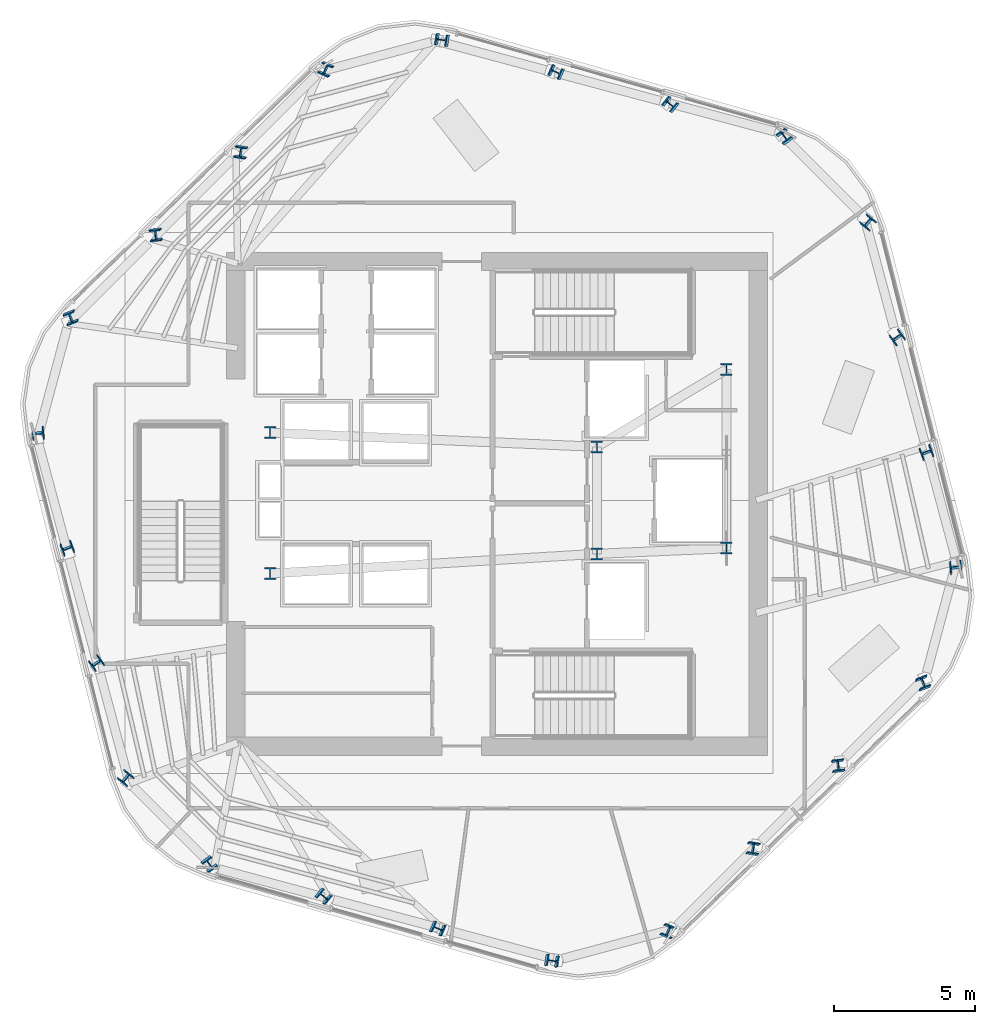
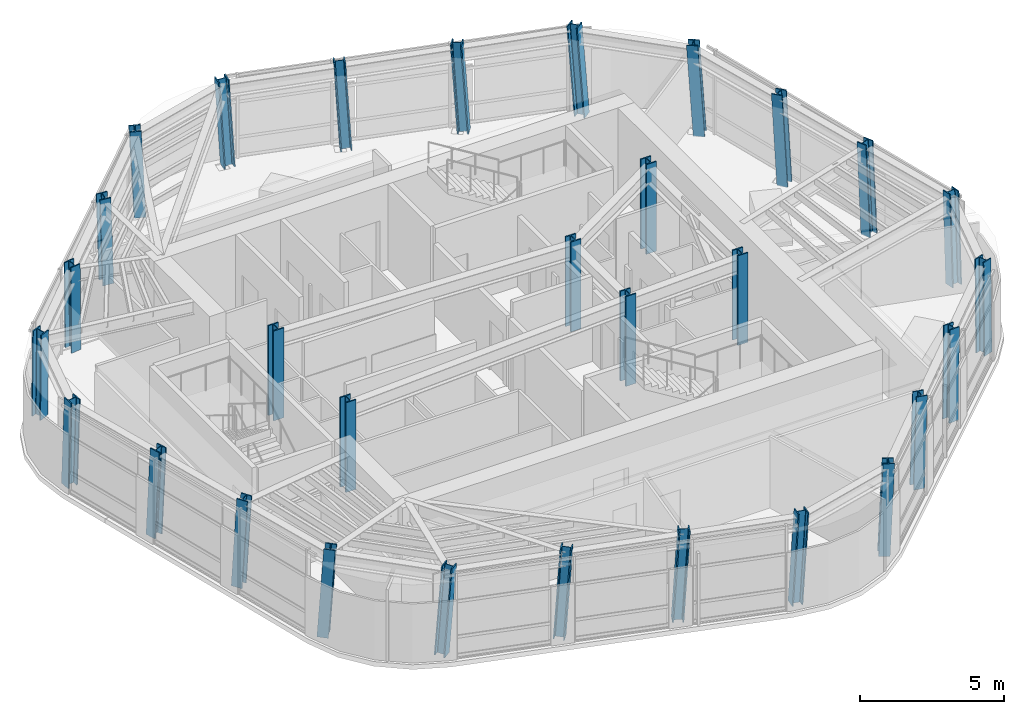
# One storey, part 1 of 14: 30 columns.
"""IFC4 building model written with IfcOpenShell, lengths in metres."""

from ifc_helpers import new_model, si_unit, direction, frame, origin, origin_2d, place, context, subcontext, project, spatial, i_section, extrude, material, material_profile, profile_set, type_object, element, save


model = new_model("IFC4")

# Units and contexts
model_context = context("Model", 3, precision=1e-05, world=origin(), true_north=direction((0.0, 1.0)))
body_context = subcontext(model_context, "Body", "Model", "MODEL_VIEW")
ifc_project = project(units=[si_unit("LENGTHUNIT", "METRE"), si_unit("AREAUNIT", "SQUARE_METRE"), si_unit("VOLUMEUNIT", "CUBIC_METRE"), si_unit("PLANEANGLEUNIT", "RADIAN"), si_unit("MASSUNIT", "GRAM", prefix="KILO")], contexts=[model_context])

# Site, building, storey
site_placement = place(None, origin())
site = spatial("IfcSite", under=ifc_project, at=site_placement, CompositionType="ELEMENT")
building_placement = place(site_placement, origin())
building = spatial("IfcBuilding", under=site, at=building_placement, Name="Valkerne Bourse Tower", CompositionType="ELEMENT")
storey_placement = place(building_placement, frame((0.0, 0.0, 213.199951171875)))
storey = spatial("IfcBuildingStorey", under=building, at=storey_placement, Name="L54", CompositionType="ELEMENT", Elevation=213.199951171875)

# Columns
ifc_material = material(Name="Steel ASTM A913 Grade 65", Category="steel")
ifc_material_profile_1 = material_profile(ifc_material, i_section(OverallWidth=0.40380859375, OverallDepth=0.406494140625, WebThickness=0.027099609375, FlangeThickness=0.043701171875, FilletRadius=0.025390625, at=origin_2d()), Name="W14X233")
ifc_profile_set_1 = profile_set([ifc_material_profile_1], Name="Steel ASTM A913 Grade 65")
column_type_1 = type_object("IfcColumnType", Name="COL-W14X233", PredefinedType="COLUMN", material=ifc_profile_set_1)
column_1_placement = place(storey_placement, frame((57.0400390625, 39.886474609375, 0.010009765625), z_axis=(-0.05372624871, 0.042001815538, 0.997671958958), x_axis=(0.807666231936, 0.589343879745, 0.018682858387)))
element("IfcColumn", 1, at=column_1_placement, inside=storey, type_object=column_type_1, Name="L54 Helical Perimeter Tube Column F1-C1", PredefinedType="COLUMN", context=body_context, shape_type="SweptSolid", body=[
    extrude(i_section(OverallWidth=0.40380859375, OverallDepth=0.406494140625, WebThickness=0.027099609375, FlangeThickness=0.043701171875, FilletRadius=0.025390625, at=origin_2d()), origin(), (0.0, 0.0, 1.0), 3.789794921875),
])
for number, where, z_axis, x_axis, name in (
    (2, (52.9892578125, 41.040283203125, 0.010009765625), (-0.058382289582, 0.025195888771, 0.997976290025), (0.632107760711, 0.774684653629, 0.017420283569), "L54 Helical Perimeter Tube Column F1-C2"),
    (3, (48.9384765625, 42.194091796875, 0.010009765625), (-0.063086168634, 0.008377121473, 0.997972925065), (0.397621851171, 0.917383721847, 0.017434745816), "L54 Helical Perimeter Tube Column F1-C3"),
):
    element("IfcColumn", number, at=place(storey_placement, frame(where, z_axis=z_axis, x_axis=x_axis)), inside=storey, type_object=column_type_1, Name=name, PredefinedType="COLUMN", context=body_context, shape_type="SweptSolid", body=[
        extrude(i_section(OverallWidth=0.40380859375, OverallDepth=0.406494140625, WebThickness=0.027099609375, FlangeThickness=0.043701171875, FilletRadius=0.025390625, at=origin_2d()), origin(), (0.0, 0.0, 1.0), 3.78857421875),
    ])
for number, where, z_axis, x_axis, name in (
    (4, (44.8876953125, 43.34814453125, 0.010009765625), (-0.067705225753, -0.008438995788, 0.997669677677), (0.152268040079, 0.988162462925, 0.018691999275), "L54 Helical Perimeter Tube Column F1-C4"),
    (5, (40.760009765625, 42.311279296875, 0.010009765625), (-0.063196177661, -0.025510383643, 0.997675028983), (-0.912629383929, 0.406027441839, -0.047427039366), "L54 Helical Perimeter Tube Column F2-C1"),
):
    element("IfcColumn", number, at=place(storey_placement, frame(where, z_axis=z_axis, x_axis=x_axis)), inside=storey, type_object=column_type_1, Name=name, PredefinedType="COLUMN", context=body_context, shape_type="SweptSolid", body=[
        extrude(i_section(OverallWidth=0.40380859375, OverallDepth=0.406494140625, WebThickness=0.027099609375, FlangeThickness=0.043701171875, FilletRadius=0.025390625, at=origin_2d()), origin(), (0.0, 0.0, 1.0), 3.789794921875),
    ])
for number, where, z_axis, x_axis, name in (
    (6, (37.7353515625, 39.380126953125, 0.010009765625), (-0.051036124084, -0.03795489531, 0.997975320316), (-0.985831211138, 0.161795319681, -0.044261695353), "L54 Helical Perimeter Tube Column F2-C2"),
    (7, (34.710693359375, 36.448974609375, 0.010009765625), (-0.038792630167, -0.050391755467, 0.997975852827), (-0.992692477875, -0.112263357491, -0.044255880238), "L54 Helical Perimeter Tube Column F2-C3"),
):
    element("IfcColumn", number, at=place(storey_placement, frame(where, z_axis=z_axis, x_axis=x_axis)), inside=storey, type_object=column_type_1, Name=name, PredefinedType="COLUMN", context=body_context, shape_type="SweptSolid", body=[
        extrude(i_section(OverallWidth=0.40380859375, OverallDepth=0.406494140625, WebThickness=0.027099609375, FlangeThickness=0.043701171875, FilletRadius=0.025390625, at=origin_2d()), origin(), (0.0, 0.0, 1.0), 3.78857421875),
    ])
for number, where, z_axis, x_axis, name in (
    (8, (31.685791015625, 33.517822265625, 0.010009765625), (-0.026476558597, -0.062873774187, 0.997670226259), (-0.931291811643, -0.361166992489, -0.047475942355), "L54 Helical Perimeter Tube Column F2-C4"),
    (9, (30.52001953125, 29.425048828125, 0.010009765625), (-0.009534121904, -0.067576309984, 0.997668553603), (0.10604768414, -0.992155654915, -0.066189463728), "L54 Helical Perimeter Tube Column F3-C1"),
):
    element("IfcColumn", number, at=place(storey_placement, frame(where, z_axis=z_axis, x_axis=x_axis)), inside=storey, type_object=column_type_1, Name=name, PredefinedType="COLUMN", context=body_context, shape_type="SweptSolid", body=[
        extrude(i_section(OverallWidth=0.40380859375, OverallDepth=0.406494140625, WebThickness=0.027099609375, FlangeThickness=0.043701171875, FilletRadius=0.025390625, at=origin_2d()), origin(), (0.0, 0.0, 1.0), 3.789794921875),
    ])
for number, where, z_axis, x_axis, name in (
    (10, (31.546142578125, 25.33984375, 0.010009765625), (0.007410556936, -0.063150833024, 0.997976480652), (0.354761985188, -0.932920645903, -0.061668487201), "L54 Helical Perimeter Tube Column F3-C2"),
    (11, (32.572265625, 21.2548828125, 0.010009765625), (0.024293634266, -0.058833124894, 0.997972185359), (0.594590102433, -0.801655501693, -0.061733837519), "L54 Helical Perimeter Tube Column F3-C3"),
):
    element("IfcColumn", number, at=place(storey_placement, frame(where, z_axis=z_axis, x_axis=x_axis)), inside=storey, type_object=column_type_1, Name=name, PredefinedType="COLUMN", context=body_context, shape_type="SweptSolid", body=[
        extrude(i_section(OverallWidth=0.40380859375, OverallDepth=0.406494140625, WebThickness=0.027099609375, FlangeThickness=0.043701171875, FilletRadius=0.025390625, at=origin_2d()), origin(), (0.0, 0.0, 1.0), 3.78857421875),
    ])
for number, where, z_axis, x_axis, name in (
    (12, (33.598388671875, 17.169677734375, 0.010009765625), (0.041164356282, -0.054370448673, 0.997671965168), (0.778299662414, -0.62439970661, -0.066141075525), "L54 Helical Perimeter Tube Column F3-C4"),
    (13, (36.559814453125, 14.113525390625, 0.010009765625), (0.05379048239, -0.042001670082, 0.99766850392), (0.807322724166, 0.589813913391, -0.018696700662), "L54 Helical Perimeter Tube Column F4-C1"),
):
    element("IfcColumn", number, at=place(storey_placement, frame(where, z_axis=z_axis, x_axis=x_axis)), inside=storey, type_object=column_type_1, Name=name, PredefinedType="COLUMN", context=body_context, shape_type="SweptSolid", body=[
        extrude(i_section(OverallWidth=0.40380859375, OverallDepth=0.406494140625, WebThickness=0.027099609375, FlangeThickness=0.043701171875, FilletRadius=0.025390625, at=origin_2d()), origin(), (0.0, 0.0, 1.0), 3.789794921875),
    ])
for number, where, z_axis, x_axis, name in (
    (14, (40.610595703125, 12.959716796875, 0.010009765625), (0.058446509191, -0.025195793929, 0.997972533456), (0.631795976217, 0.774938588154, -0.017436428131), "L54 Helical Perimeter Tube Column F4-C2"),
    (15, (44.66162109375, 11.805908203125, 0.010009765625), (0.063021985307, -0.008377155511, 0.997976980012), (0.397745346757, 0.917330516344, -0.017417316588), "L54 Helical Perimeter Tube Column F4-C3"),
):
    element("IfcColumn", number, at=place(storey_placement, frame(where, z_axis=z_axis, x_axis=x_axis)), inside=storey, type_object=column_type_1, Name=name, PredefinedType="COLUMN", context=body_context, shape_type="SweptSolid", body=[
        extrude(i_section(OverallWidth=0.40380859375, OverallDepth=0.406494140625, WebThickness=0.027099609375, FlangeThickness=0.043701171875, FilletRadius=0.025390625, at=origin_2d()), origin(), (0.0, 0.0, 1.0), 3.78857421875),
    ])
for number, where, z_axis, x_axis, name in (
    (16, (48.71240234375, 10.65185546875, 0.010009765625), (0.067705225753, 0.008438995788, 0.997669677677), (0.152268040079, 0.988162462925, -0.018691999275), "L54 Helical Perimeter Tube Column F4-C4"),
    (17, (52.83984375, 11.688720703125, 0.010009765625), (0.063260340151, 0.025510279735, 0.997670965295), (-0.912483164706, 0.406351108254, 0.047468420538), "L54 Helical Perimeter Tube Column F5-C1"),
):
    element("IfcColumn", number, at=place(storey_placement, frame(where, z_axis=z_axis, x_axis=x_axis)), inside=storey, type_object=column_type_1, Name=name, PredefinedType="COLUMN", context=body_context, shape_type="SweptSolid", body=[
        extrude(i_section(OverallWidth=0.40380859375, OverallDepth=0.406494140625, WebThickness=0.027099609375, FlangeThickness=0.043701171875, FilletRadius=0.025390625, at=origin_2d()), origin(), (0.0, 0.0, 1.0), 3.789794921875),
    ])
for number, where, z_axis, x_axis, name in (
    (18, (55.864501953125, 14.619873046875, 0.010009765625), (0.051100395473, 0.037954770408, 0.997972036174), (-0.985731453243, 0.162392210016, 0.044297541856), "L54 Helical Perimeter Tube Column F5-C2"),
    (19, (58.889404296875, 17.551025390625, 0.010009765625), (0.038792630167, 0.050391755467, 0.997975852827), (-0.992692477875, -0.112263357491, 0.044255880238), "L54 Helical Perimeter Tube Column F5-C3"),
):
    element("IfcColumn", number, at=place(storey_placement, frame(where, z_axis=z_axis, x_axis=x_axis)), inside=storey, type_object=column_type_1, Name=name, PredefinedType="COLUMN", context=body_context, shape_type="SweptSolid", body=[
        extrude(i_section(OverallWidth=0.40380859375, OverallDepth=0.406494140625, WebThickness=0.027099609375, FlangeThickness=0.043701171875, FilletRadius=0.025390625, at=origin_2d()), origin(), (0.0, 0.0, 1.0), 3.78857421875),
    ])
for number, where, z_axis, x_axis, name in (
    (20, (61.9140625, 20.482177734375, 0.010009765625), (0.026540933124, 0.062873666818, 0.997668522551), (-0.931605194008, -0.360355589727, 0.047493277943), "L54 Helical Perimeter Tube Column F5-C4"),
    (21, (63.080078125, 24.574951171875, 0.010009765625), (0.009534121904, 0.067576309984, 0.997668553603), (0.10604768414, -0.992155654915, 0.066189463728), "L54 Helical Perimeter Tube Column F6-C1"),
):
    element("IfcColumn", number, at=place(storey_placement, frame(where, z_axis=z_axis, x_axis=x_axis)), inside=storey, type_object=column_type_1, Name=name, PredefinedType="COLUMN", context=body_context, shape_type="SweptSolid", body=[
        extrude(i_section(OverallWidth=0.40380859375, OverallDepth=0.406494140625, WebThickness=0.027099609375, FlangeThickness=0.043701171875, FilletRadius=0.025390625, at=origin_2d()), origin(), (0.0, 0.0, 1.0), 3.789794921875),
    ])
for number, where, z_axis, x_axis, name in (
    (22, (62.053955078125, 28.66015625, 0.010009765625), (-0.007410556936, 0.063150833024, 0.997976480652), (0.354761985188, -0.932920645903, 0.061668487201), "L54 Helical Perimeter Tube Column F6-C2"),
    (23, (61.02783203125, 32.7451171875, 0.010009765625), (-0.024293634266, 0.058833124894, 0.997972185359), (0.594590102433, -0.801655501693, 0.061733837519), "L54 Helical Perimeter Tube Column F6-C3"),
):
    element("IfcColumn", number, at=place(storey_placement, frame(where, z_axis=z_axis, x_axis=x_axis)), inside=storey, type_object=column_type_1, Name=name, PredefinedType="COLUMN", context=body_context, shape_type="SweptSolid", body=[
        extrude(i_section(OverallWidth=0.40380859375, OverallDepth=0.406494140625, WebThickness=0.027099609375, FlangeThickness=0.043701171875, FilletRadius=0.025390625, at=origin_2d()), origin(), (0.0, 0.0, 1.0), 3.78857421875),
    ])
column_2_placement = place(storey_placement, frame((60.001708984375, 36.830322265625, 0.010009765625), z_axis=(-0.041164356282, 0.054370448673, 0.997671965168), x_axis=(0.778299662414, -0.62439970661, 0.066141075525)))
element("IfcColumn", 24, at=column_2_placement, inside=storey, type_object=column_type_1, Name="L54 Helical Perimeter Tube Column F6-C4", PredefinedType="COLUMN", context=body_context, shape_type="SweptSolid", body=[
    extrude(i_section(OverallWidth=0.40380859375, OverallDepth=0.406494140625, WebThickness=0.027099609375, FlangeThickness=0.043701171875, FilletRadius=0.025390625, at=origin_2d()), origin(), (0.0, 0.0, 1.0), 3.789794921875),
])
ifc_material_profile_2 = material_profile(ifc_material, i_section(OverallWidth=0.408935546875, OverallDepth=0.42431640625, WebThickness=0.03271484375, FlangeThickness=0.052490234375, FilletRadius=0.025390625, at=origin_2d()), Name="W14X283")
ifc_profile_set_2 = profile_set([ifc_material_profile_2], Name="Steel ASTM A913 Grade 65")
column_type_2 = type_object("IfcColumnType", Name="COL-W14X283", PredefinedType="COLUMN", material=ifc_profile_set_2)
for number, where, z_axis, x_axis, name in (
    (25, (38.75, 24.39990234375, 0.005126953125), (0.0, 0.0, 1.0), (1.0, 0.0, 0.0), "L54 Core Frame Column CC-SW"),
    (26, (38.75, 29.39990234375, 0.005126953125), (0.0, 0.0, 1.0), (1.0, 0.0, 0.0), "L54 Core Frame Column CC-NW"),
    (27, (50.35009765625, 25.10009765625, 0.005126953125), (0.0, 0.0, 1.0), (1.0, 0.0, 0.0), "L54 Core Frame Column CC-CE1"),
    (28, (50.35009765625, 28.89990234375, 0.005126953125), (0.0, 0.0, 1.0), (1.0, 0.0, 0.0), "L54 Core Frame Column CC-CE2"),
    (29, (54.949951171875, 25.300048828125, 0.005126953125), (0.0, 0.0, 1.0), (1.0, 0.0, 0.0), "L54 Core Frame Column CC-SE"),
    (30, (54.949951171875, 31.64990234375, 0.005126953125), (0.0, 0.0, 1.0), (1.0, 0.0, 0.0), "L54 Core Frame Column CC-NE"),
):
    element("IfcColumn", number, at=place(storey_placement, frame(where, z_axis=z_axis, x_axis=x_axis)), inside=storey, type_object=column_type_2, Name=name, PredefinedType="COLUMN", context=body_context, shape_type="SweptSolid", body=[
        extrude(i_section(OverallWidth=0.408935546875, OverallDepth=0.42431640625, WebThickness=0.03271484375, FlangeThickness=0.052490234375, FilletRadius=0.025390625, at=origin_2d()), origin(), (0.0, 0.0, 1.0), 3.794921875),
    ])

save(model, "model.ifc")
